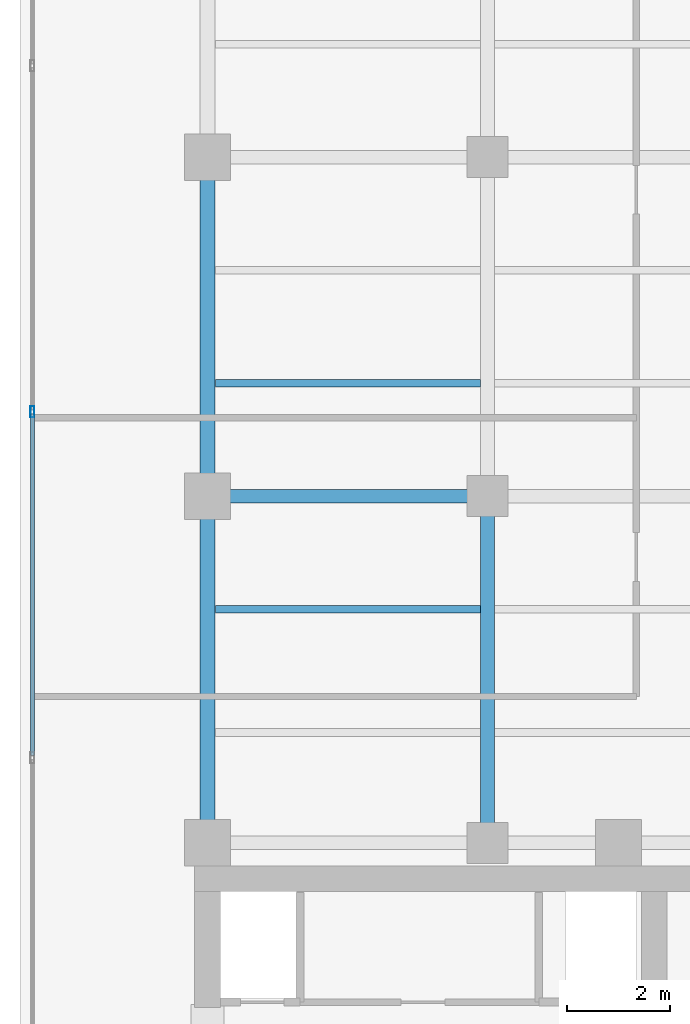
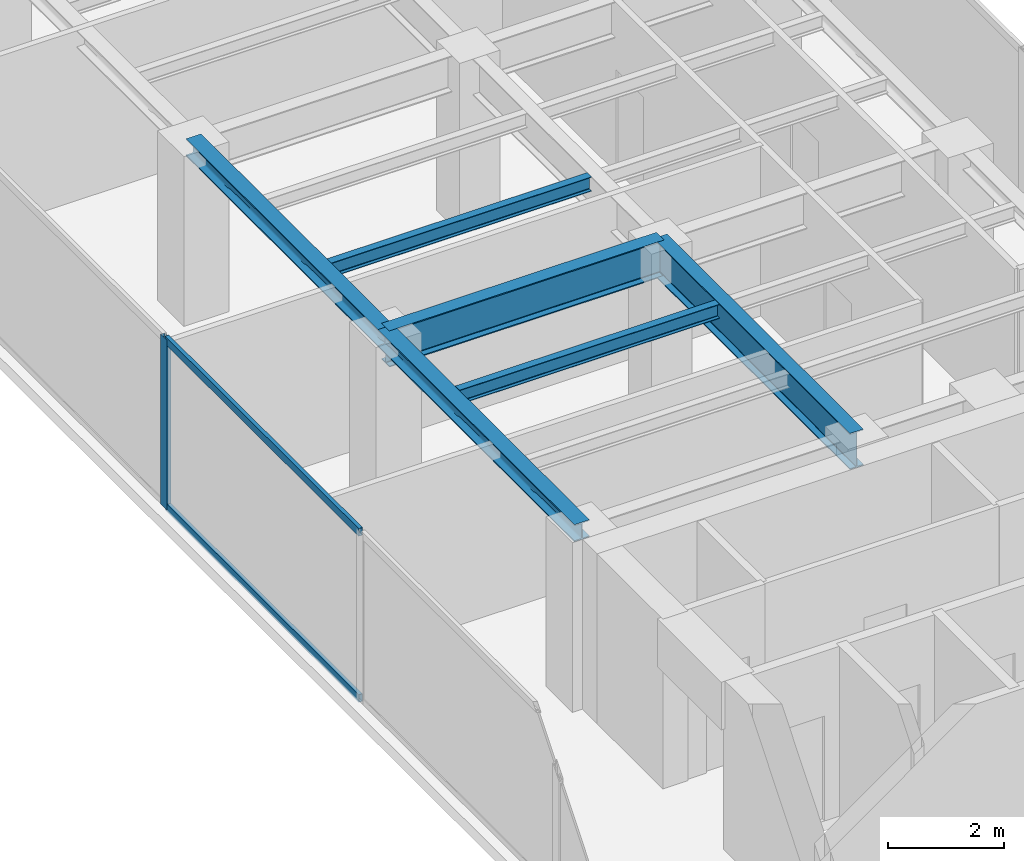
# One storey, part 8 of 22: 6 beams, 3 members, 1 element without a shape of its own.
"""IFC4 building model written with IfcOpenShell, lengths in metres."""

from ifc_helpers import new_model, si_unit, direction, frame, origin, origin_with_axes, origin_2d, place, context, subcontext, project, spatial, hollow_rectangle, i_section, extrude, source, transform, mapped, material, layer, layer_set, material_profile, profile_set, type_object, element, aggregate, save


model = new_model("IFC4")

# Units and contexts
model_context = context("Model", 3, precision=1e-05, world=origin(), true_north=direction((0.0, 1.0)))
body_context = subcontext(model_context, "Body", "Model", "MODEL_VIEW")
ifc_project = project(units=[si_unit("LENGTHUNIT", "METRE"), si_unit("AREAUNIT", "SQUARE_METRE"), si_unit("VOLUMEUNIT", "CUBIC_METRE"), si_unit("PLANEANGLEUNIT", "RADIAN"), si_unit("MASSUNIT", "GRAM", prefix="KILO")], contexts=[model_context])

# Site, building, storey
site_placement = place(None, origin())
site = spatial("IfcSite", under=ifc_project, at=site_placement, CompositionType="ELEMENT")
building_placement = place(site_placement, origin())
building = spatial("IfcBuilding", under=site, at=building_placement, Name="Kolvaren Waterfront Exchange", CompositionType="ELEMENT")
storey_placement = place(building_placement, frame((0.0, 0.0, 281.800048828125)))
storey = spatial("IfcBuildingStorey", under=building, at=storey_placement, Name="L72", CompositionType="ELEMENT", Elevation=281.800048828125)

# Beams
ifc_material_1 = material(Name="Steel S355", Category="steel")
ifc_material_profile_1 = material_profile(ifc_material_1, i_section(OverallWidth=0.300048828125, OverallDepth=0.360107421875, WebThickness=0.012451171875, FlangeThickness=0.0224609375, FilletRadius=0.027099609375, at=origin_2d()), Name="HEB360")
ifc_profile_set_1 = profile_set([ifc_material_profile_1], Name="Steel S355")
beam_type_1 = type_object("IfcBeamType", Name="STR-BM-HEB360", PredefinedType="SPANDREL", material=ifc_profile_set_1)
beam_1_placement = place(storey_placement, frame((7.449951171875, 24.449951171875, 3.3798828125), z_axis=(0.0, 1.0, 0.0), x_axis=(-1.0, 0.0, 0.0)))
element("IfcBeam", 1, at=beam_1_placement, inside=storey, type_object=beam_type_1, Name="L72 north-arm edge beam 1", PredefinedType="SPANDREL", context=body_context, shape_type="SweptSolid", body=[
    extrude(i_section(OverallWidth=0.300048828125, OverallDepth=0.360107421875, WebThickness=0.012451171875, FlangeThickness=0.0224609375, FilletRadius=0.027099609375, at=origin_2d()), origin(), (0.0, 0.0, 1.0), 6.75),
])
beam_2_placement = place(storey_placement, frame((7.449951171875, 31.199951171875, 3.3798828125), z_axis=(0.0, 1.0, 0.0), x_axis=(-1.0, 0.0, 0.0)))
element("IfcBeam", 2, at=beam_2_placement, inside=storey, type_object=beam_type_1, Name="L72 north-arm edge beam 2", PredefinedType="SPANDREL", context=body_context, shape_type="SweptSolid", body=[
    extrude(i_section(OverallWidth=0.300048828125, OverallDepth=0.360107421875, WebThickness=0.012451171875, FlangeThickness=0.0224609375, FilletRadius=0.027099609375, at=origin_2d()), origin(), (0.0, 0.0, 1.0), 6.60009765625),
])
ifc_material_profile_2 = material_profile(ifc_material_1, i_section(OverallWidth=0.14990234375, OverallDepth=0.300048828125, WebThickness=0.007080078125, FlangeThickness=0.0107421875, FilletRadius=0.014892578125, at=origin_2d()), Name="IPE300")
ifc_profile_set_2 = profile_set([ifc_material_profile_2], Name="Steel S355")
beam_type_2 = type_object("IfcBeamType", Name="STR-BM-IPE300", PredefinedType="JOIST", material=ifc_profile_set_2)
for number, where, z_axis, x_axis, name in (
    (3, (7.60205078125, 29.0, 3.409912109375), (1.0, 0.0, 0.0), (0.0, 1.0, 0.0), "L72 north-arm composite joist 2A"),
    (4, (7.60205078125, 33.39990234375, 3.409912109375), (1.0, 0.0, 0.0), (0.0, 1.0, 0.0), "L72 north-arm composite joist 3A"),
):
    element("IfcBeam", number, at=place(storey_placement, frame(where, z_axis=z_axis, x_axis=x_axis)), inside=storey, type_object=beam_type_2, Name=name, PredefinedType="JOIST", context=body_context, shape_type="SweptSolid", body=[
        extrude(i_section(OverallWidth=0.14990234375, OverallDepth=0.300048828125, WebThickness=0.007080078125, FlangeThickness=0.0107421875, FilletRadius=0.014892578125, at=origin_2d()), origin(), (0.0, 0.0, 1.0), 5.162353515625),
    ])
ifc_material_profile_3 = material_profile(ifc_material_1, i_section(OverallWidth=0.26708984375, OverallDepth=0.761962890625, WebThickness=0.014404296875, FlangeThickness=0.021484375, FilletRadius=0.01708984375, at=origin_2d()), Name="IPE750x173")
ifc_profile_set_3 = profile_set([ifc_material_profile_3], Name="Steel S355")
beam_type_3 = type_object("IfcBeamType", Name="STR-BM-IPE750", PredefinedType="BEAM", material=ifc_profile_set_3)
beam_3_placement = place(storey_placement, frame((7.449951171875, 31.199951171875, 3.178955078125), z_axis=(1.0, 0.0, 0.0), x_axis=(0.0, 1.0, 0.0)))
element("IfcBeam", 5, at=beam_3_placement, inside=storey, type_object=beam_type_3, Name="L72 north-arm girder 2A", PredefinedType="BEAM", context=body_context, shape_type="SweptSolid", body=[
    extrude(i_section(OverallWidth=0.26708984375, OverallDepth=0.761962890625, WebThickness=0.014404296875, FlangeThickness=0.021484375, FilletRadius=0.01708984375, at=origin_2d()), origin(), (0.0, 0.0, 1.0), 5.449951171875),
])
beam_4_placement = place(storey_placement, frame((12.89990234375, 24.449951171875, 3.178955078125), z_axis=(0.0, 1.0, 0.0), x_axis=(-1.0, 0.0, 0.0)))
element("IfcBeam", 6, at=beam_4_placement, inside=storey, type_object=beam_type_3, Name="L72 north-arm edge beam 1", PredefinedType="BEAM", context=body_context, shape_type="SweptSolid", body=[
    extrude(i_section(OverallWidth=0.26708984375, OverallDepth=0.761962890625, WebThickness=0.014404296875, FlangeThickness=0.021484375, FilletRadius=0.01708984375, at=origin_2d()), origin(), (0.0, 0.0, 1.0), 6.75),
])

# Curtain wall, members
ifc_material_2 = material(Name="Anodised aluminium 6063-T6", Category="aluminium")
ifc_layer = layer(ifc_material_2, 0.219970703125, Name="Anodised aluminium 6063-T6")
ifc_layer_set = layer_set([ifc_layer], Name="Anodised aluminium 6063-T6")
curtain_wall_type = type_object("IfcCurtainWallType", Name="ARC-CW-SYS2", PredefinedType="USERDEFINED", material=ifc_layer_set)
curtain_wall_placement = place(storey_placement, origin())
curtain_wall = element("IfcCurtainWall", 7, at=curtain_wall_placement, inside=storey, type_object=curtain_wall_type, Name="L72 stick curtain wall CW2 (CW-L72-W)", ObjectType="STICK CURTAIN WALL", PredefinedType="USERDEFINED")
ifc_material_profile_4 = material_profile(ifc_material_2, hollow_rectangle(XDim=0.080078125, YDim=0.219970703125, WallThickness=0.0048828125, at=origin_2d()), Name="ALU-MUL-220x80x5")
ifc_profile_set_4 = profile_set([ifc_material_profile_4], Name="Anodised aluminium 6063-T6")
member_type_1 = type_object("IfcMemberType", Name="ARC-CWM-220", PredefinedType="MULLION", material=ifc_profile_set_4)
shared_shape_1 = source(origin_with_axes(), body_context, "Body", "SweptSolid", [
    extrude(hollow_rectangle(XDim=0.080078125, YDim=0.219970703125, WallThickness=0.0048828125, at=origin_2d()), origin(), (0.0, 0.0, 1.0), 3.56005859375),
])
member_1_placement = place(storey_placement, frame((4.0400390625, 32.84375, 0.0), z_axis=(0.0, 0.0, 1.0), x_axis=(-1.0, 0.0, 0.0)))
member_1 = element("IfcMember", 8, at=member_1_placement, type_object=member_type_1, Name="CW2 mullion 5", PredefinedType="MULLION", context=body_context, shape_type="MappedRepresentation", body=[
    mapped(shared_shape_1, transform((0.0, 0.0, 0.0), x_axis=(1.0, 0.0, 0.0), y_axis=(0.0, 1.0, 0.0), z_axis=(0.0, 0.0, 1.0), scale=1.0)),
])
ifc_material_profile_5 = material_profile(ifc_material_2, hollow_rectangle(XDim=0.074951171875, YDim=0.159912109375, WallThickness=0.00439453125, at=origin_2d()), Name="ALU-TRN-160x75x4.5")
ifc_profile_set_5 = profile_set([ifc_material_profile_5], Name="Anodised aluminium 6063-T6")
member_type_2 = type_object("IfcMemberType", Name="ARC-CWT-160", PredefinedType="USERDEFINED", material=ifc_profile_set_5)
shared_shape_2 = source(origin_with_axes(), body_context, "Body", "SweptSolid", [
    extrude(hollow_rectangle(XDim=0.074951171875, YDim=0.159912109375, WallThickness=0.00439453125, at=origin_2d()), origin(), (0.0, 0.0, 1.0), 6.656005859375),
])
member_2_placement = place(storey_placement, frame((4.0400390625, 26.14794921875, 0.037353515625), z_axis=(0.0, 1.0, 0.0), x_axis=(-1.0, 0.0, 0.0)))
member_2 = element("IfcMember", 9, at=member_2_placement, type_object=member_type_2, Name="CW2 transom 4.1", ObjectType="TRANSOM", PredefinedType="USERDEFINED", context=body_context, shape_type="MappedRepresentation", body=[
    mapped(shared_shape_2, transform((0.0, 0.0, 0.0), x_axis=(1.0, 0.0, 0.0), y_axis=(0.0, 1.0, 0.0), z_axis=(0.0, 0.0, 1.0), scale=1.0)),
])
member_3_placement = place(storey_placement, frame((4.0400390625, 26.14794921875, 3.5224609375), z_axis=(0.0, 1.0, 0.0), x_axis=(-1.0, 0.0, 0.0)))
member_3 = element("IfcMember", 10, at=member_3_placement, type_object=member_type_2, Name="CW2 transom 4.2", ObjectType="TRANSOM", PredefinedType="USERDEFINED", context=body_context, shape_type="MappedRepresentation", body=[
    mapped(shared_shape_2, transform((0.0, 0.0, 0.0), x_axis=(1.0, 0.0, 0.0), y_axis=(0.0, 1.0, 0.0), z_axis=(0.0, 0.0, 1.0), scale=1.0)),
])
aggregate(curtain_wall, [member_1, member_2, member_3])

save(model, "model.ifc")
